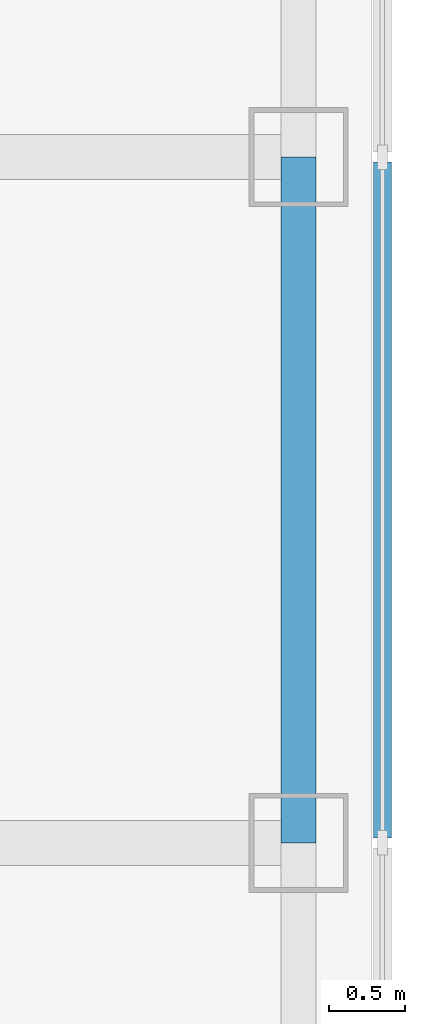
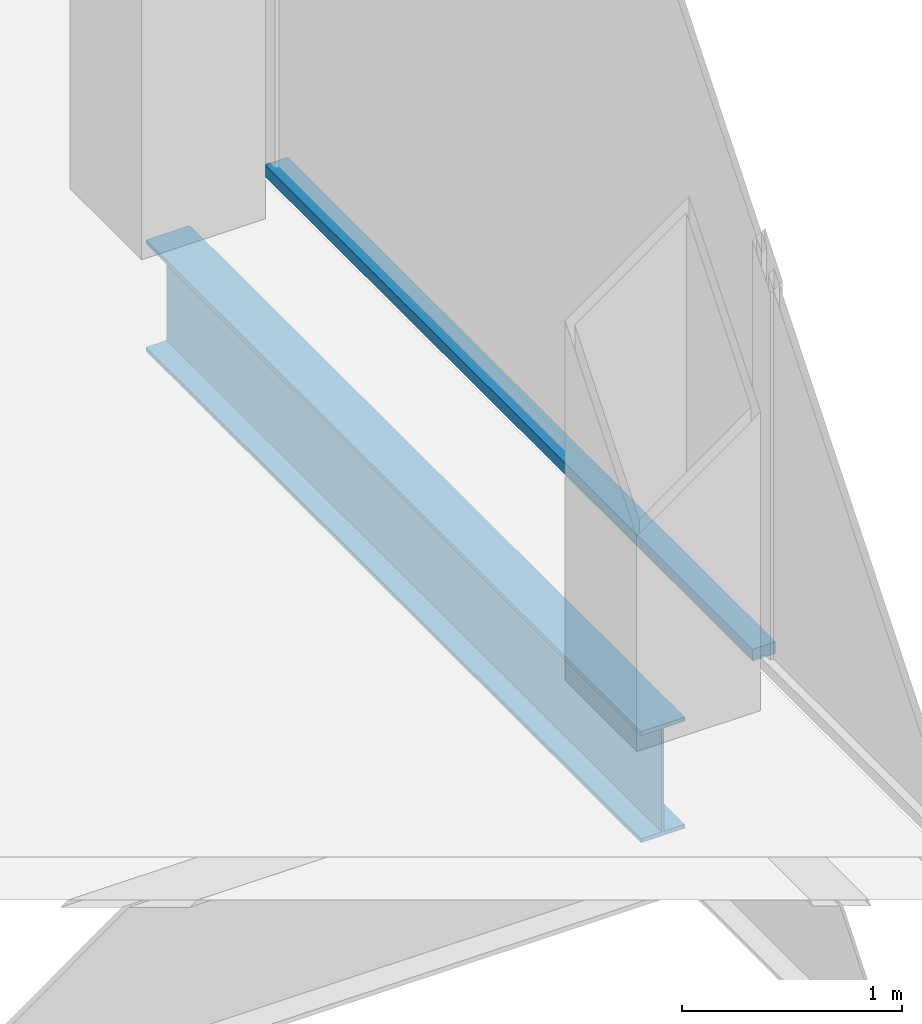
# One storey, part 5 of 14: 1 beam, 1 member, 1 element without a shape of its own.
"""IFC4 building model written with IfcOpenShell, lengths in metres."""

from ifc_helpers import new_model, si_unit, direction, frame, origin, origin_2d, place, context, subcontext, project, spatial, rectangle, i_section, extrude, material, material_profile, profile_set, type_object, element, aggregate, save


model = new_model("IFC4")

# Units and contexts
model_context = context("Model", 3, precision=1e-05, world=origin(), true_north=direction((0.0, 1.0)))
body_context = subcontext(model_context, "Body", "Model", "MODEL_VIEW")
ifc_project = project(units=[si_unit("LENGTHUNIT", "METRE"), si_unit("AREAUNIT", "SQUARE_METRE"), si_unit("VOLUMEUNIT", "CUBIC_METRE"), si_unit("PLANEANGLEUNIT", "RADIAN"), si_unit("MASSUNIT", "GRAM", prefix="KILO")], contexts=[model_context])

# Site, building, storey
site_placement = place(None, origin())
site = spatial("IfcSite", under=ifc_project, at=site_placement, CompositionType="ELEMENT")
building_placement = place(site_placement, origin())
building = spatial("IfcBuilding", under=site, at=building_placement, Name="Corais Broadcast Tower", CompositionType="ELEMENT")
storey_placement = place(building_placement, frame((0.0, 0.0, 258.60009765625)))
storey = spatial("IfcBuildingStorey", under=building, at=storey_placement, Name="L60", CompositionType="ELEMENT", Elevation=258.60009765625)

# Beam
ifc_material_1 = material(Name="Steel ASTM A572 Grade 50", Category="steel")
ifc_material_profile_1 = material_profile(ifc_material_1, i_section(OverallWidth=0.22998046875, OverallDepth=0.616943359375, WebThickness=0.01318359375, FlangeThickness=0.022216796875, at=origin_2d()), Name="W610x140")
ifc_profile_set_1 = profile_set([ifc_material_profile_1], Name="Steel ASTM A572 Grade 50")
beam_type = type_object("IfcBeamType", Name="Spandrel W610x140", PredefinedType="BEAM", material=ifc_profile_set_1)
beam_placement = place(storey_placement, frame((54.0, 27.0, -0.468505859375), z_axis=(0.0, 1.0, 0.0), x_axis=(-1.0, 0.0, 0.0)))
element("IfcBeam", 1, at=beam_placement, inside=storey, type_object=beam_type, Name="SB3 G/15 to H/15", PredefinedType="BEAM", context=body_context, shape_type="SweptSolid", body=[
    extrude(i_section(OverallWidth=0.22998046875, OverallDepth=0.616943359375, WebThickness=0.01318359375, FlangeThickness=0.022216796875, at=origin_2d()), origin(), (0.0, 0.0, 1.0), 4.5),
])

# Curtain wall, member
ifc_material_2 = material(Name="Aluminium and glass", Category="aluminium")
curtain_wall_type = type_object("IfcCurtainWallType", Name="Unitised fritted curtain wall CW3", PredefinedType="NOTDEFINED", material=ifc_material_2)
curtain_wall_placement = place(storey_placement, origin())
curtain_wall = element("IfcCurtainWall", 2, at=curtain_wall_placement, inside=storey, type_object=curtain_wall_type, Name="CW3 curtain wall L60 6", PredefinedType="NOTDEFINED")
ifc_material_3 = material(Name="Aluminium 6063-T6", Category="aluminium")
ifc_material_profile_2 = material_profile(ifc_material_3, rectangle(XDim=0.1201171875, YDim=0.06494140625, at=origin_2d()), Name="Transom CW3 65x120")
ifc_profile_set_2 = profile_set([ifc_material_profile_2], Name="Aluminium 6063-T6")
member_type = type_object("IfcMemberType", Name="Transom CW3 65x120", PredefinedType="USERDEFINED", material=ifc_profile_set_2)
member_placement = place(storey_placement, frame((54.550048828125, 31.467529296875, 0.032470703125), z_axis=(0.0, -1.0, 0.0), x_axis=(1.0, 0.0, 0.0)))
member = element("IfcMember", 3, at=member_placement, type_object=member_type, Name="CW3 transom 3.1", ObjectType="TRANSOM", PredefinedType="USERDEFINED", context=body_context, shape_type="SweptSolid", body=[
    extrude(rectangle(XDim=0.1201171875, YDim=0.06494140625, at=origin_2d()), origin(), (0.0, 0.0, 1.0), 4.43505859375),
])
aggregate(curtain_wall, [member])

save(model, "model.ifc")
